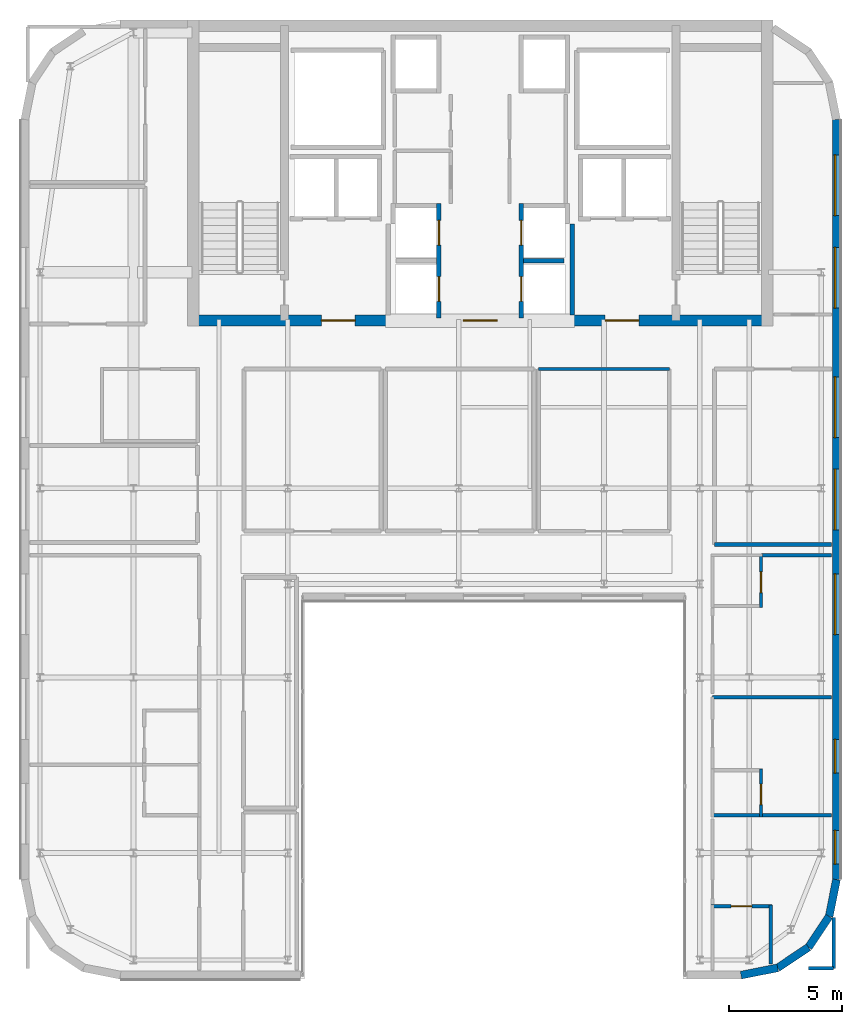
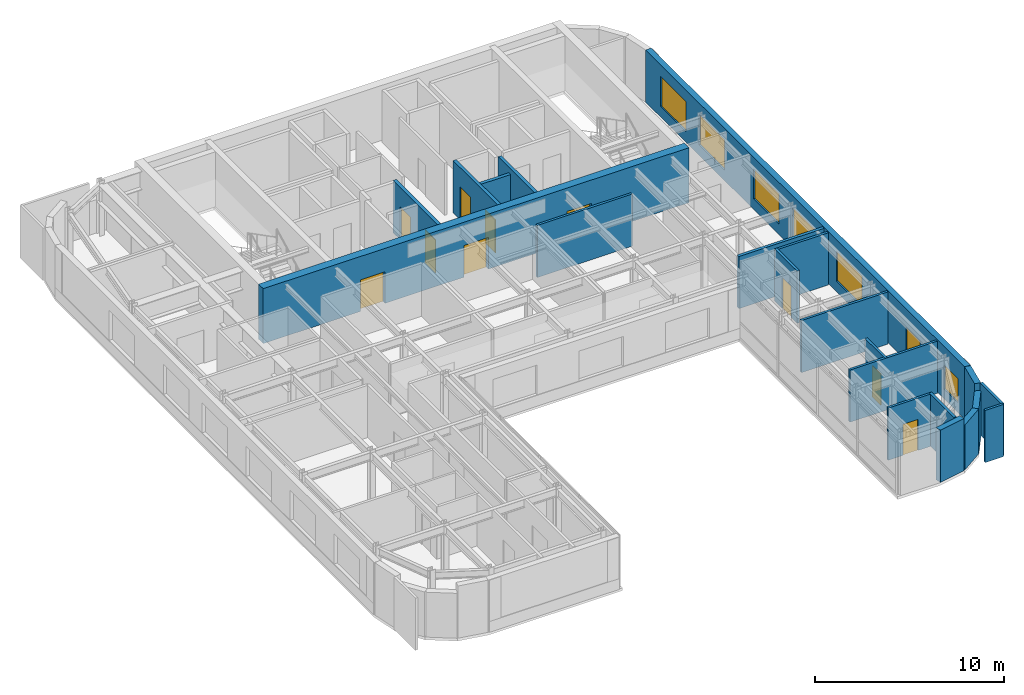
# One storey, part 15 of 21: 21 walls, 10 doors, 7 windows, 17 openings.
"""IFC4 building model written with IfcOpenShell, lengths in metres."""

from ifc_helpers import new_model, si_unit, direction, frame, frame_2d, origin, place, context, subcontext, project, spatial, rectangle, extrude, source, transform, mapped, material, layer, layer_set, type_object, type_shapes, element, fill, save


model = new_model("IFC4")

# Units and contexts
model_context = context("Model", 3, precision=1e-05, world=origin(), true_north=direction((0.0, 1.0)))
body_context = subcontext(model_context, "Body", "Model", "MODEL_VIEW")
ifc_project = project(units=[si_unit("LENGTHUNIT", "METRE"), si_unit("AREAUNIT", "SQUARE_METRE"), si_unit("VOLUMEUNIT", "CUBIC_METRE"), si_unit("PLANEANGLEUNIT", "RADIAN"), si_unit("MASSUNIT", "GRAM", prefix="KILO")], contexts=[model_context])

# Site, building, storey
site_placement = place(None, origin())
site = spatial("IfcSite", under=ifc_project, at=site_placement, CompositionType="ELEMENT")
building_placement = place(site_placement, origin())
building = spatial("IfcBuilding", under=site, at=building_placement, Name="Tolvann Quenvar Hotel", CompositionType="ELEMENT")
storey_placement = place(building_placement, frame((0.0, 0.0, 255.85009765625)))
storey = spatial("IfcBuildingStorey", under=building, at=storey_placement, Name="L68", CompositionType="ELEMENT", Elevation=255.85009765625)

# Wall, openings, doors
ifc_material_1 = material(Name="Concrete N50 (50 MPa)", Category="concrete")
ifc_layer_1 = layer(ifc_material_1, 0.5)
ifc_layer_set_1 = layer_set([ifc_layer_1], Name="Concrete N50 (50 MPa)")
wall_type_1 = type_object("IfcWallType", Name="WALL_CORE_500", PredefinedType="SHEAR", material=ifc_layer_set_1)
wall_1_placement = place(storey_placement, frame((10.0, 31.85009765625, 0.0), z_axis=(0.0, 0.0, 1.0), x_axis=(1.0, 0.0, 0.0)))
wall_1 = element("IfcWall", 1, at=wall_1_placement, inside=storey, type_object=wall_type_1, Name="Rear Core S Shear Wall (L68)", PredefinedType="SHEAR", context=body_context, shape_type="SweptSolid", body=[
    extrude(rectangle(XDim=26.0, YDim=0.5, at=frame_2d((13.0, 0.0))), origin(), (0.0, 0.0, 1.0), 3.5498046875),
])
opening_1_placement = place(wall_1_placement, frame((7.449951171875, 0.0, 0.0), z_axis=(0.0, 0.0, 1.0), x_axis=(-1.0, 0.0, 0.0)))
opening_1 = element("IfcOpeningElement", 2, at=opening_1_placement, cuts=wall_1, Name="Opening FD-60D", PredefinedType="OPENING", context=body_context, shape_type="SweptSolid", body=[
    extrude(rectangle(XDim=1.5, YDim=2.0400390625, at=frame_2d((0.75, 1.02001953125))), frame((0.0, 0.260009765625, 0.0), z_axis=(0.0, -1.0, 0.0), x_axis=(1.0, 0.0, 0.0)), (0.0, 0.0, 1.0), 0.52001953125),
])
opening_2_placement = place(wall_1_placement, frame((13.75, 0.0, 0.0), z_axis=(0.0, 0.0, 1.0), x_axis=(-1.0, 0.0, 0.0)))
opening_2 = element("IfcOpeningElement", 3, at=opening_2_placement, cuts=wall_1, Name="Opening FD-60D", PredefinedType="OPENING", context=body_context, shape_type="SweptSolid", body=[
    extrude(rectangle(XDim=1.5, YDim=2.0400390625, at=frame_2d((0.75, 1.02001953125))), frame((0.0, 0.260009765625, 0.0), z_axis=(0.0, -1.0, 0.0), x_axis=(1.0, 0.0, 0.0)), (0.0, 0.0, 1.0), 0.52001953125),
])
opening_3_placement = place(wall_1_placement, frame((20.050048828125, 0.0, 0.0), z_axis=(0.0, 0.0, 1.0), x_axis=(-1.0, 0.0, 0.0)))
opening_3 = element("IfcOpeningElement", 4, at=opening_3_placement, cuts=wall_1, Name="Opening FD-60D", PredefinedType="OPENING", context=body_context, shape_type="SweptSolid", body=[
    extrude(rectangle(XDim=1.5, YDim=2.0400390625, at=frame_2d((0.75, 1.02001953125))), frame((0.0, 0.260009765625, 0.0), z_axis=(0.0, -1.0, 0.0), x_axis=(1.0, 0.0, 0.0)), (0.0, 0.0, 1.0), 0.52001953125),
])
ifc_material_2 = material(Name="Solid-core American oak acoustic fire door leaf in steel frame", Category="steel")
door_type_1 = type_object("IfcDoorType", Name="DOOR_FIRE_LOBBY_1500", OperationType="NOTDEFINED", PredefinedType="DOOR", material=ifc_material_2)
shared_shape_1 = source(origin(), body_context, "Body", "SweptSolid", [
    extrude(rectangle(XDim=1.5, YDim=2.0400390625, at=frame_2d((0.75, 1.02001953125))), frame((0.0, 0.02490234375, 0.0), z_axis=(0.0, -1.0, 0.0), x_axis=(1.0, 0.0, 0.0)), (0.0, 0.0, 1.0), 0.050048828125),
])
type_shapes(door_type_1, [shared_shape_1])
door_1_placement = place(opening_1_placement, origin())
door_1 = element("IfcDoor", 5, at=door_1_placement, inside=storey, type_object=door_type_1, Name="Core Lobby Fire Door FFW (L68)", OperationType="DOUBLE_DOOR_SINGLE_SWING", OverallHeight=2.0400390625, OverallWidth=1.5, PredefinedType="DOOR", context=body_context, shape_type="MappedRepresentation", body=[
    mapped(shared_shape_1, transform((0.0, 0.0, 0.0), x_axis=(1.0, 0.0, 0.0), y_axis=(0.0, 1.0, 0.0), z_axis=(0.0, 0.0, 1.0), scale=1.0)),
])
fill(opening_1, door_1)
door_2_placement = place(opening_2_placement, origin())
door_2 = element("IfcDoor", 6, at=door_2_placement, inside=storey, type_object=door_type_1, Name="Core Lobby Fire Door CLOB (L68)", OperationType="DOUBLE_DOOR_SINGLE_SWING", OverallHeight=2.0400390625, OverallWidth=1.5, PredefinedType="DOOR", context=body_context, shape_type="MappedRepresentation", body=[
    mapped(shared_shape_1, transform((0.0, 0.0, 0.0), x_axis=(1.0, 0.0, 0.0), y_axis=(0.0, 1.0, 0.0), z_axis=(0.0, 0.0, 1.0), scale=1.0)),
])
fill(opening_2, door_2)
door_3_placement = place(opening_3_placement, origin())
door_3 = element("IfcDoor", 7, at=door_3_placement, inside=storey, type_object=door_type_1, Name="Core Lobby Fire Door FFE (L68)", OperationType="DOUBLE_DOOR_SINGLE_SWING", OverallHeight=2.0400390625, OverallWidth=1.5, PredefinedType="DOOR", context=body_context, shape_type="MappedRepresentation", body=[
    mapped(shared_shape_1, transform((0.0, 0.0, 0.0), x_axis=(1.0, 0.0, 0.0), y_axis=(0.0, 1.0, 0.0), z_axis=(0.0, 0.0, 1.0), scale=1.0)),
])
fill(opening_3, door_3)

# Walls
ifc_material_3 = material(Name="Kiln-fired red and buff architectural clay brickwork and terracotta masonry", Category="masonry")
ifc_layer_2 = layer(ifc_material_3, 0.35009765625)
ifc_layer_set_2 = layer_set([ifc_layer_2], Name="Kiln-fired red and buff architectural clay brickwork and terracotta masonry")
wall_type_2 = type_object("IfcWallType", Name="WALL_EXT_BRICK_350", PredefinedType="SOLIDWALL", material=ifc_layer_set_2)
wall_2_placement = place(storey_placement, frame((34.582763671875, 2.77490234375, 0.0), z_axis=(0.0, 0.0, 1.0), x_axis=(0.980794424524, 0.195044345786, 0.0)))
element("IfcWall", 8, at=wall_2_placement, inside=storey, type_object=wall_type_2, Name="Exterior Chicago Brick Wall L68-E09", PredefinedType="SOLIDWALL", context=body_context, shape_type="SweptSolid", body=[
    extrude(rectangle(XDim=1.664794921875, YDim=0.35009765625, at=frame_2d((0.83251953125, 0.0))), origin(), (0.0, 0.0, 1.0), 3.369873046875),
])
for number, where, z_axis, x_axis, name in (
    (9, (36.215576171875, 3.099609375, 0.0), (0.0, 0.0, 1.0), (0.831434158098, 0.555623290322, 0.0), "Exterior Chicago Brick Wall L68-E10"),
    (10, (37.585205078125, 4.014892578125, 0.0), (0.0, 0.0, 1.0), (0.555520825599, 0.831502623162, 0.0), "Exterior Chicago Brick Wall L68-E11"),
):
    element("IfcWall", number, at=place(storey_placement, frame(where, z_axis=z_axis, x_axis=x_axis)), inside=storey, type_object=wall_type_2, Name=name, PredefinedType="SOLIDWALL", context=body_context, shape_type="SweptSolid", body=[
        extrude(rectangle(XDim=1.647216796875, YDim=0.35009765625, at=frame_2d((0.82373046875, 0.0))), origin(), (0.0, 0.0, 1.0), 2.89990234375),
    ])
wall_3_placement = place(storey_placement, frame((38.500244140625, 5.384521484375, 0.0), z_axis=(0.0, 0.0, 1.0), x_axis=(0.195072403631, 0.980788844421, 0.0)))
element("IfcWall", 11, at=wall_3_placement, inside=storey, type_object=wall_type_2, Name="Exterior Chicago Brick Wall L68-E12", PredefinedType="SOLIDWALL", context=body_context, shape_type="SweptSolid", body=[
    extrude(rectangle(XDim=1.66455078125, YDim=0.35009765625, at=frame_2d((0.832275390625, 0.0))), origin(), (0.0, 0.0, 1.0), 3.369873046875),
])

# Wall, openings, windows
wall_4_placement = place(storey_placement, frame((38.824951171875, 7.01708984375, 0.0), z_axis=(0.0, 0.0, 1.0), x_axis=(0.0, 1.0, 0.0)))
wall_4 = element("IfcWall", 12, at=wall_4_placement, inside=storey, type_object=wall_type_2, Name="Exterior Chicago Brick Wall L68-E13", PredefinedType="SOLIDWALL", context=body_context, shape_type="SweptSolid", body=[
    extrude(rectangle(XDim=33.765625, YDim=0.35009765625, at=frame_2d((16.8828125, 0.0))), origin(), (0.0, 0.0, 1.0), 3.369873046875),
])
opening_4_placement = place(wall_4_placement, frame((10.881103515625, 0.0, 0.679931640625)))
opening_4 = element("IfcOpeningElement", 13, at=opening_4_placement, cuts=wall_4, Name="Opening W-04", PredefinedType="OPENING", context=body_context, shape_type="SweptSolid", body=[
    extrude(rectangle(XDim=2.699951171875, YDim=1.949951171875, at=frame_2d((1.35009765625, 0.97509765625))), frame((0.0, 0.18505859375, 0.0), z_axis=(0.0, -1.0, 0.0), x_axis=(1.0, 0.0, 0.0)), (0.0, 0.0, 1.0), 0.3701171875),
])
opening_5_placement = place(wall_4_placement, frame((15.532958984375, 0.0, 0.679931640625)))
opening_5 = element("IfcOpeningElement", 14, at=opening_5_placement, cuts=wall_4, Name="Opening W-04", PredefinedType="OPENING", context=body_context, shape_type="SweptSolid", body=[
    extrude(rectangle(XDim=2.699951171875, YDim=1.949951171875, at=frame_2d((1.35009765625, 0.97509765625))), frame((0.0, 0.18505859375, 0.0), z_axis=(0.0, -1.0, 0.0), x_axis=(1.0, 0.0, 0.0)), (0.0, 0.0, 1.0), 0.3701171875),
])
opening_6_placement = place(wall_4_placement, frame((19.635009765625, 0.0, 0.679931640625)))
opening_6 = element("IfcOpeningElement", 15, at=opening_6_placement, cuts=wall_4, Name="Opening W-04", PredefinedType="OPENING", context=body_context, shape_type="SweptSolid", body=[
    extrude(rectangle(XDim=2.699951171875, YDim=1.949951171875, at=frame_2d((1.35009765625, 0.97509765625))), frame((0.0, 0.18505859375, 0.0), z_axis=(0.0, -1.0, 0.0), x_axis=(1.0, 0.0, 0.0)), (0.0, 0.0, 1.0), 0.3701171875),
])
opening_7_placement = place(wall_4_placement, frame((25.386962890625, 0.0, 0.679931640625)))
opening_7 = element("IfcOpeningElement", 16, at=opening_7_placement, cuts=wall_4, Name="Opening W-04", PredefinedType="OPENING", context=body_context, shape_type="SweptSolid", body=[
    extrude(rectangle(XDim=2.699951171875, YDim=1.949951171875, at=frame_2d((1.35009765625, 0.97509765625))), frame((0.0, 0.18505859375, 0.0), z_axis=(0.0, -1.0, 0.0), x_axis=(1.0, 0.0, 0.0)), (0.0, 0.0, 1.0), 0.3701171875),
])
opening_8_placement = place(wall_4_placement, frame((29.489013671875, 0.0, 0.679931640625)))
opening_8 = element("IfcOpeningElement", 17, at=opening_8_placement, cuts=wall_4, Name="Opening W-04", PredefinedType="OPENING", context=body_context, shape_type="SweptSolid", body=[
    extrude(rectangle(XDim=2.699951171875, YDim=1.949951171875, at=frame_2d((1.35009765625, 0.97509765625))), frame((0.0, 0.18505859375, 0.0), z_axis=(0.0, -1.0, 0.0), x_axis=(1.0, 0.0, 0.0)), (0.0, 0.0, 1.0), 0.3701171875),
])
opening_9_placement = place(wall_4_placement, frame((0.68603515625, 0.0, 0.6201171875)))
opening_9 = element("IfcOpeningElement", 18, at=opening_9_placement, cuts=wall_4, Name="Opening W-08", PredefinedType="OPENING", context=body_context, shape_type="SweptSolid", body=[
    extrude(rectangle(XDim=1.5, YDim=1.550048828125, at=frame_2d((0.75, 0.77490234375))), frame((0.0, 0.18505859375, 0.0), z_axis=(0.0, -1.0, 0.0), x_axis=(1.0, 0.0, 0.0)), (0.0, 0.0, 1.0), 0.3701171875),
])
opening_10_placement = place(wall_4_placement, frame((4.73291015625, 0.0, 0.6201171875)))
opening_10 = element("IfcOpeningElement", 19, at=opening_10_placement, cuts=wall_4, Name="Opening W-08", PredefinedType="OPENING", context=body_context, shape_type="SweptSolid", body=[
    extrude(rectangle(XDim=1.5, YDim=1.550048828125, at=frame_2d((0.75, 0.77490234375))), frame((0.0, 0.18505859375, 0.0), z_axis=(0.0, -1.0, 0.0), x_axis=(1.0, 0.0, 0.0)), (0.0, 0.0, 1.0), 0.3701171875),
])
ifc_material_4 = material(Name="Thermally broken bronze-anodised aluminium frame with double low-E glazing", Category="aluminium")
window_type_1 = type_object("IfcWindowType", Name="WIN_COR_1500x2050", PartitioningType="SINGLE_PANEL", PredefinedType="WINDOW", material=ifc_material_4)
shared_shape_2 = source(origin(), body_context, "Body", "SweptSolid", [
    extrude(rectangle(XDim=1.5, YDim=1.550048828125, at=frame_2d((0.75, 0.77490234375))), frame((0.0, 0.090087890625, 0.0), z_axis=(0.0, -1.0, 0.0), x_axis=(1.0, 0.0, 0.0)), (0.0, 0.0, 1.0), 0.06005859375),
])
type_shapes(window_type_1, [shared_shape_2])
window_1_placement = place(opening_9_placement, origin())
window_1 = element("IfcWindow", 20, at=window_1_placement, inside=storey, type_object=window_type_1, Name="Chicago Window W-08 (EW-L68-E13-WD06)", OverallHeight=1.550048828125, OverallWidth=1.5, PartitioningType="SINGLE_PANEL", PredefinedType="WINDOW", context=body_context, shape_type="MappedRepresentation", body=[
    mapped(shared_shape_2, transform((0.0, 0.0, 0.0), x_axis=(1.0, 0.0, 0.0), y_axis=(0.0, 1.0, 0.0), z_axis=(0.0, 0.0, 1.0), scale=1.0)),
])
fill(opening_9, window_1)
window_2_placement = place(opening_10_placement, origin())
window_2 = element("IfcWindow", 21, at=window_2_placement, inside=storey, type_object=window_type_1, Name="Chicago Window W-08 (EW-L68-E13-WD07)", OverallHeight=1.550048828125, OverallWidth=1.5, PartitioningType="SINGLE_PANEL", PredefinedType="WINDOW", context=body_context, shape_type="MappedRepresentation", body=[
    mapped(shared_shape_2, transform((0.0, 0.0, 0.0), x_axis=(1.0, 0.0, 0.0), y_axis=(0.0, 1.0, 0.0), z_axis=(0.0, 0.0, 1.0), scale=1.0)),
])
fill(opening_10, window_2)
window_type_2 = type_object("IfcWindowType", Name="WIN_STE_2700x2150", PartitioningType="TRIPLE_PANEL_HORIZONTAL", PredefinedType="WINDOW", material=ifc_material_4)
shared_shape_3 = source(origin(), body_context, "Body", "SweptSolid", [
    extrude(rectangle(XDim=2.699951171875, YDim=1.949951171875, at=frame_2d((1.35009765625, 0.97509765625))), frame((0.0, 0.090087890625, 0.0), z_axis=(0.0, -1.0, 0.0), x_axis=(1.0, 0.0, 0.0)), (0.0, 0.0, 1.0), 0.06005859375),
])
type_shapes(window_type_2, [shared_shape_3])
window_3_placement = place(opening_4_placement, origin())
window_3 = element("IfcWindow", 22, at=window_3_placement, inside=storey, type_object=window_type_2, Name="Chicago Window W-04 (EW-L68-E13-W01)", OverallHeight=1.949951171875, OverallWidth=2.699951171875, PartitioningType="TRIPLE_PANEL_HORIZONTAL", PredefinedType="WINDOW", context=body_context, shape_type="MappedRepresentation", body=[
    mapped(shared_shape_3, transform((0.0, 0.0, 0.0), x_axis=(1.0, 0.0, 0.0), y_axis=(0.0, 1.0, 0.0), z_axis=(0.0, 0.0, 1.0), scale=1.0)),
])
fill(opening_4, window_3)
window_4_placement = place(opening_5_placement, origin())
window_4 = element("IfcWindow", 23, at=window_4_placement, inside=storey, type_object=window_type_2, Name="Chicago Window W-04 (EW-L68-E13-W02)", OverallHeight=1.949951171875, OverallWidth=2.699951171875, PartitioningType="TRIPLE_PANEL_HORIZONTAL", PredefinedType="WINDOW", context=body_context, shape_type="MappedRepresentation", body=[
    mapped(shared_shape_3, transform((0.0, 0.0, 0.0), x_axis=(1.0, 0.0, 0.0), y_axis=(0.0, 1.0, 0.0), z_axis=(0.0, 0.0, 1.0), scale=1.0)),
])
fill(opening_5, window_4)
window_5_placement = place(opening_6_placement, origin())
window_5 = element("IfcWindow", 24, at=window_5_placement, inside=storey, type_object=window_type_2, Name="Chicago Window W-04 (EW-L68-E13-W03)", OverallHeight=1.949951171875, OverallWidth=2.699951171875, PartitioningType="TRIPLE_PANEL_HORIZONTAL", PredefinedType="WINDOW", context=body_context, shape_type="MappedRepresentation", body=[
    mapped(shared_shape_3, transform((0.0, 0.0, 0.0), x_axis=(1.0, 0.0, 0.0), y_axis=(0.0, 1.0, 0.0), z_axis=(0.0, 0.0, 1.0), scale=1.0)),
])
fill(opening_6, window_5)
window_6_placement = place(opening_7_placement, origin())
window_6 = element("IfcWindow", 25, at=window_6_placement, inside=storey, type_object=window_type_2, Name="Chicago Window W-04 (EW-L68-E13-W04)", OverallHeight=1.949951171875, OverallWidth=2.699951171875, PartitioningType="TRIPLE_PANEL_HORIZONTAL", PredefinedType="WINDOW", context=body_context, shape_type="MappedRepresentation", body=[
    mapped(shared_shape_3, transform((0.0, 0.0, 0.0), x_axis=(1.0, 0.0, 0.0), y_axis=(0.0, 1.0, 0.0), z_axis=(0.0, 0.0, 1.0), scale=1.0)),
])
fill(opening_7, window_6)
window_7_placement = place(opening_8_placement, origin())
window_7 = element("IfcWindow", 26, at=window_7_placement, inside=storey, type_object=window_type_2, Name="Chicago Window W-04 (EW-L68-E13-W05)", OverallHeight=1.949951171875, OverallWidth=2.699951171875, PartitioningType="TRIPLE_PANEL_HORIZONTAL", PredefinedType="WINDOW", context=body_context, shape_type="MappedRepresentation", body=[
    mapped(shared_shape_3, transform((0.0, 0.0, 0.0), x_axis=(1.0, 0.0, 0.0), y_axis=(0.0, 1.0, 0.0), z_axis=(0.0, 0.0, 1.0), scale=1.0)),
])
fill(opening_8, window_7)

# Walls
ifc_material_5 = material(Name="Acoustic twin-stud fire-rated gypsum plasterboard partition")
ifc_layer_3 = layer(ifc_material_5, 0.179931640625)
ifc_layer_set_3 = layer_set([ifc_layer_3], Name="Acoustic twin-stud fire-rated gypsum plasterboard partition")
wall_type_3 = type_object("IfcWallType", Name="WALL_PART_ACOUSTIC_180", PredefinedType="PARTITIONING", material=ifc_layer_set_3)
wall_5_placement = place(storey_placement, frame((33.39990234375, 21.89990234375, 0.0), z_axis=(0.0, 0.0, 1.0), x_axis=(1.0, 0.0, 0.0)))
element("IfcWall", 27, at=wall_5_placement, inside=storey, type_object=wall_type_3, Name="Interior Partition PT-SPC-L68-PNE1-S", PredefinedType="PARTITIONING", context=body_context, shape_type="SweptSolid", body=[
    extrude(rectangle(XDim=5.195068359375, YDim=0.179931640625, at=frame_2d((2.59765625, 0.0))), origin(), (0.0, 0.0, 1.0), 3.369873046875),
])
ifc_layer_4 = layer(ifc_material_5, 0.14990234375)
ifc_layer_set_4 = layer_set([ifc_layer_4], Name="Acoustic twin-stud fire-rated gypsum plasterboard partition")
wall_type_4 = type_object("IfcWallType", Name="WALL_PART_SUITE_150", PredefinedType="PARTITIONING", material=ifc_layer_set_4)
wall_6_placement = place(storey_placement, frame((35.902099609375, 3.27197265625, 0.0), z_axis=(0.0, 0.0, 1.0), x_axis=(0.0, 1.0, 0.0)))
element("IfcWall", 28, at=wall_6_placement, inside=storey, type_object=wall_type_4, Name="Interior Partition PT-SPC-L68-ENS-PE01-ENT", PredefinedType="PARTITIONING", context=body_context, shape_type="SweptSolid", body=[
    extrude(rectangle(XDim=2.6279296875, YDim=0.14990234375, at=frame_2d((1.31396484375, 0.0))), origin(), (0.0, 0.0, 1.0), 3.369873046875),
])

# Wall, opening, door
wall_7_placement = place(storey_placement, frame((33.25, 5.830078125, 0.0), z_axis=(0.0, 0.0, 1.0), x_axis=(1.0, 0.0, 0.0)))
wall_7 = element("IfcWall", 29, at=wall_7_placement, inside=storey, type_object=wall_type_4, Name="Interior Partition PT-SPC-L68-ENS-PE01-N", PredefinedType="PARTITIONING", context=body_context, shape_type="SweptSolid", body=[
    extrude(rectangle(XDim=2.721923828125, YDim=0.14990234375, at=frame_2d((1.36083984375, 0.0))), origin(), (0.0, 0.0, 1.0), 3.369873046875),
])
opening_11_placement = place(wall_7_placement, frame((0.90087890625, 0.0, 0.0)))
opening_11 = element("IfcOpeningElement", 30, at=opening_11_placement, cuts=wall_7, Name="Opening WD-01", PredefinedType="OPENING", context=body_context, shape_type="SweptSolid", body=[
    extrude(rectangle(XDim=0.919921875, YDim=2.010009765625, at=frame_2d((0.4599609375, 1.0048828125))), frame((0.0, 0.0849609375, 0.0), z_axis=(0.0, -1.0, 0.0), x_axis=(1.0, 0.0, 0.0)), (0.0, 0.0, 1.0), 0.169921875),
])
door_type_2 = type_object("IfcDoorType", Name="DOOR_WC_920", OperationType="NOTDEFINED", PredefinedType="DOOR", material=ifc_material_2)
shared_shape_4 = source(origin(), body_context, "Body", "SweptSolid", [
    extrude(rectangle(XDim=0.919921875, YDim=2.010009765625, at=frame_2d((0.4599609375, 1.0048828125))), frame((0.0, 0.02490234375, 0.0), z_axis=(0.0, -1.0, 0.0), x_axis=(1.0, 0.0, 0.0)), (0.0, 0.0, 1.0), 0.050048828125),
])
type_shapes(door_type_2, [shared_shape_4])
door_4_placement = place(opening_11_placement, origin())
door_4 = element("IfcDoor", 31, at=door_4_placement, inside=storey, type_object=door_type_2, Name="Interior Door DOOR-SPC-L68-ENS-PE01", OperationType="SINGLE_SWING_LEFT", OverallHeight=2.010009765625, OverallWidth=0.919921875, PredefinedType="DOOR", context=body_context, shape_type="MappedRepresentation", body=[
    mapped(shared_shape_4, transform((0.0, 0.0, 0.0), x_axis=(1.0, 0.0, 0.0), y_axis=(0.0, 1.0, 0.0), z_axis=(0.0, 0.0, 1.0), scale=1.0)),
])
fill(opening_11, door_4)

wall_8_placement = place(storey_placement, frame((35.469970703125, 9.81005859375, 0.0), z_axis=(0.0, 0.0, 1.0), x_axis=(0.0, 1.0, 0.0)))
wall_8 = element("IfcWall", 32, at=wall_8_placement, inside=storey, type_object=wall_type_4, Name="Interior Partition PT-SPC-L68-ENS-PE02-ENT", PredefinedType="PARTITIONING", context=body_context, shape_type="SweptSolid", body=[
    extrude(rectangle(XDim=2.130859375, YDim=0.14990234375, at=frame_2d((1.0654296875, 0.0))), origin(), (0.0, 0.0, 1.0), 3.369873046875),
])
opening_12_placement = place(wall_8_placement, frame((0.535400390625, 0.0, 0.0)))
opening_12 = element("IfcOpeningElement", 33, at=opening_12_placement, cuts=wall_8, Name="Opening WD-01", PredefinedType="OPENING", context=body_context, shape_type="SweptSolid", body=[
    extrude(rectangle(XDim=0.919921875, YDim=2.010009765625, at=frame_2d((0.4599609375, 1.0048828125))), frame((0.0, 0.0849609375, 0.0), z_axis=(0.0, -1.0, 0.0), x_axis=(1.0, 0.0, 0.0)), (0.0, 0.0, 1.0), 0.169921875),
])
door_5_placement = place(opening_12_placement, origin())
door_5 = element("IfcDoor", 34, at=door_5_placement, inside=storey, type_object=door_type_2, Name="Interior Door DOOR-SPC-L68-ENS-PE02", OperationType="SINGLE_SWING_RIGHT", OverallHeight=2.010009765625, OverallWidth=0.919921875, PredefinedType="DOOR", context=body_context, shape_type="MappedRepresentation", body=[
    mapped(shared_shape_4, transform((0.0, 0.0, 0.0), x_axis=(1.0, 0.0, 0.0), y_axis=(0.0, 1.0, 0.0), z_axis=(0.0, 0.0, 1.0), scale=1.0)),
])
fill(opening_12, door_5)

# Wall
wall_9_placement = place(storey_placement, frame((33.25, 9.8798828125, 0.0), z_axis=(0.0, 0.0, 1.0), x_axis=(1.0, 0.0, 0.0)))
element("IfcWall", 35, at=wall_9_placement, inside=storey, type_object=wall_type_4, Name="Interior Partition PT-SPC-L68-ENS-PE02-S", PredefinedType="PARTITIONING", context=body_context, shape_type="SweptSolid", body=[
    extrude(rectangle(XDim=5.344970703125, YDim=0.14990234375, at=frame_2d((2.67236328125, 0.0))), origin(), (0.0, 0.0, 1.0), 3.369873046875),
])

# Wall, opening, door
wall_10_placement = place(storey_placement, frame((35.469970703125, 19.10009765625, 0.0), z_axis=(0.0, 0.0, 1.0), x_axis=(0.0, 1.0, 0.0)))
wall_10 = element("IfcWall", 36, at=wall_10_placement, inside=storey, type_object=wall_type_4, Name="Interior Partition PT-SPC-L68-ENS-PE03-ENT", PredefinedType="PARTITIONING", context=body_context, shape_type="SweptSolid", body=[
    extrude(rectangle(XDim=2.389892578125, YDim=0.14990234375, at=frame_2d((1.19482421875, 0.0))), origin(), (0.0, 0.0, 1.0), 3.369873046875),
])
opening_13_placement = place(wall_10_placement, frame((0.6650390625, 0.0, 0.0)))
opening_13 = element("IfcOpeningElement", 37, at=opening_13_placement, cuts=wall_10, Name="Opening WD-01", PredefinedType="OPENING", context=body_context, shape_type="SweptSolid", body=[
    extrude(rectangle(XDim=0.919921875, YDim=2.010009765625, at=frame_2d((0.4599609375, 1.0048828125))), frame((0.0, 0.0849609375, 0.0), z_axis=(0.0, -1.0, 0.0), x_axis=(1.0, 0.0, 0.0)), (0.0, 0.0, 1.0), 0.169921875),
])
door_6_placement = place(opening_13_placement, origin())
door_6 = element("IfcDoor", 38, at=door_6_placement, inside=storey, type_object=door_type_2, Name="Interior Door DOOR-SPC-L68-ENS-PE03", OperationType="SINGLE_SWING_LEFT", OverallHeight=2.010009765625, OverallWidth=0.919921875, PredefinedType="DOOR", context=body_context, shape_type="MappedRepresentation", body=[
    mapped(shared_shape_4, transform((0.0, 0.0, 0.0), x_axis=(1.0, 0.0, 0.0), y_axis=(0.0, 1.0, 0.0), z_axis=(0.0, 0.0, 1.0), scale=1.0)),
])
fill(opening_13, door_6)

# Walls
wall_11_placement = place(storey_placement, frame((37.5849609375, 3.080078125, 0.0), z_axis=(0.0, 0.0, 1.0), x_axis=(1.0, 0.0, 0.0)))
element("IfcWall", 39, at=wall_11_placement, inside=storey, type_object=wall_type_4, Name="Interior Partition PT-SPC-L68-RM-PE01-E3", PredefinedType="PARTITIONING", context=body_context, shape_type="SweptSolid", body=[
    extrude(rectangle(XDim=1.114990234375, YDim=0.14990234375, at=frame_2d((0.5576171875, 0.0))), origin(), (0.0, 0.0, 1.0), 3.369873046875),
])
wall_12_placement = place(storey_placement, frame((38.699951171875, 3.080078125, 0.0), z_axis=(0.0, 0.0, 1.0), x_axis=(0.0, 1.0, 0.0)))
element("IfcWall", 40, at=wall_12_placement, inside=storey, type_object=wall_type_4, Name="Interior Partition PT-SPC-L68-RM-PE01-E4", PredefinedType="PARTITIONING", context=body_context, shape_type="SweptSolid", body=[
    extrude(rectangle(XDim=2.264892578125, YDim=0.14990234375, at=frame_2d((1.13232421875, 0.0))), origin(), (0.0, 0.0, 1.0), 3.369873046875),
])
wall_13_placement = place(storey_placement, frame((33.320068359375, 15.1201171875, 0.0), z_axis=(0.0, 0.0, 1.0), x_axis=(1.0, 0.0, 0.0)))
element("IfcWall", 41, at=wall_13_placement, inside=storey, type_object=wall_type_4, Name="Interior Partition PT-SPC-L68-RM-PE02-E5", PredefinedType="PARTITIONING", context=body_context, shape_type="SweptSolid", body=[
    extrude(rectangle(XDim=5.27490234375, YDim=0.14990234375, at=frame_2d((2.637451171875, 0.0))), origin(), (0.0, 0.0, 1.0), 3.369873046875),
])
wall_14_placement = place(storey_placement, frame((35.489990234375, 21.419921875, 0.0), z_axis=(0.0, 0.0, 1.0), x_axis=(1.0, 0.0, 0.0)))
element("IfcWall", 42, at=wall_14_placement, inside=storey, type_object=wall_type_4, Name="Interior Partition PT-SPC-L68-RM-PE03-E3", PredefinedType="PARTITIONING", context=body_context, shape_type="SweptSolid", body=[
    extrude(rectangle(XDim=3.10498046875, YDim=0.14990234375, at=frame_2d((1.552490234375, 0.0))), origin(), (0.0, 0.0, 1.0), 3.369873046875),
])
wall_15_placement = place(storey_placement, frame((25.60009765625, 29.699951171875, 0.0), z_axis=(0.0, 0.0, 1.0), x_axis=(1.0, 0.0, 0.0)))
element("IfcWall", 43, at=wall_15_placement, inside=storey, type_object=wall_type_4, Name="Interior Partition PT-SPC-L68-PCNTR3-N", PredefinedType="PARTITIONING", context=body_context, shape_type="SweptSolid", body=[
    extrude(rectangle(XDim=5.7998046875, YDim=0.14990234375, at=frame_2d((2.89990234375, 0.0))), origin(), (0.0, 0.0, 1.0), 3.369873046875),
])
ifc_material_6 = material(Name="Concrete N40 (40 MPa)", Category="concrete")
ifc_layer_5 = layer(ifc_material_6, 0.199951171875)
ifc_layer_set_5 = layer_set([ifc_layer_5], Name="Concrete N40 (40 MPa)")
wall_type_5 = type_object("IfcWallType", Name="WALL_SHAFT_200", PredefinedType="SOLIDWALL", material=ifc_layer_set_5)
wall_16_placement = place(storey_placement, frame((27.080078125, 32.10400390625, 0.0), z_axis=(0.0, 0.0, 1.0), x_axis=(0.0, 1.0, 0.0)))
element("IfcWall", 44, at=wall_16_placement, inside=storey, type_object=wall_type_5, Name="Firefighting Lobby E Inner Fire Wall (L68)", PredefinedType="SOLIDWALL", context=body_context, shape_type="SweptSolid", body=[
    extrude(rectangle(XDim=4.0458984375, YDim=0.199951171875, at=frame_2d((2.02294921875, 0.0))), origin(), (0.0, 0.0, 1.0), 3.369873046875),
])

# Wall, openings, doors
wall_17_placement = place(storey_placement, frame((21.169921875, 31.9599609375, 0.0), z_axis=(0.0, 0.0, 1.0), x_axis=(0.0, 1.0, 0.0)))
wall_17 = element("IfcWall", 45, at=wall_17_placement, inside=storey, type_object=wall_type_5, Name="Lift Bank E21.1C1 Hoistway Front Wall (L68)", PredefinedType="SOLIDWALL", context=body_context, shape_type="SweptSolid", body=[
    extrude(rectangle(XDim=5.080078125, YDim=0.199951171875, at=frame_2d((2.5400390625, 0.0))), origin(), (0.0, 0.0, 1.0), 3.369873046875),
])
opening_14_placement = place(wall_17_placement, frame((0.739990234375, 0.0, 0.0)))
opening_14 = element("IfcOpeningElement", 46, at=opening_14_placement, cuts=wall_17, Name="Opening LD-01", PredefinedType="OPENING", context=body_context, shape_type="SweptSolid", body=[
    extrude(rectangle(XDim=1.10009765625, YDim=2.1201171875, at=frame_2d((0.550048828125, 1.06005859375))), frame((0.0, 0.10986328125, 0.0), z_axis=(0.0, -1.0, 0.0), x_axis=(1.0, 0.0, 0.0)), (0.0, 0.0, 1.0), 0.219970703125),
])
opening_15_placement = place(wall_17_placement, frame((3.239990234375, 0.0, 0.0)))
opening_15 = element("IfcOpeningElement", 47, at=opening_15_placement, cuts=wall_17, Name="Opening LD-01", PredefinedType="OPENING", context=body_context, shape_type="SweptSolid", body=[
    extrude(rectangle(XDim=1.10009765625, YDim=2.1201171875, at=frame_2d((0.550048828125, 1.06005859375))), frame((0.0, 0.10986328125, 0.0), z_axis=(0.0, -1.0, 0.0), x_axis=(1.0, 0.0, 0.0)), (0.0, 0.0, 1.0), 0.219970703125),
])
ifc_material_7 = material(Name="Brushed 316 stainless steel automatic sliding lift landing door", Category="steel")
door_type_3 = type_object("IfcDoorType", Name="DOOR_LIFT_SLIDE_1100", OperationType="NOTDEFINED", PredefinedType="DOOR", material=ifc_material_7)
shared_shape_5 = source(origin(), body_context, "Body", "SweptSolid", [
    extrude(rectangle(XDim=1.10009765625, YDim=2.1201171875, at=frame_2d((0.550048828125, 1.06005859375))), frame((0.0, 0.02490234375, 0.0), z_axis=(0.0, -1.0, 0.0), x_axis=(1.0, 0.0, 0.0)), (0.0, 0.0, 1.0), 0.050048828125),
])
type_shapes(door_type_3, [shared_shape_5])
door_7_placement = place(opening_14_placement, origin())
door_7 = element("IfcDoor", 48, at=door_7_placement, inside=storey, type_object=door_type_3, Name="Lift PH-1 Sliding Landing Door (L68)", OperationType="SLIDING_TO_LEFT", OverallHeight=2.1201171875, OverallWidth=1.10009765625, PredefinedType="DOOR", context=body_context, shape_type="MappedRepresentation", body=[
    mapped(shared_shape_5, transform((0.0, 0.0, 0.0), x_axis=(1.0, 0.0, 0.0), y_axis=(0.0, 1.0, 0.0), z_axis=(0.0, 0.0, 1.0), scale=1.0)),
])
fill(opening_14, door_7)
door_8_placement = place(opening_15_placement, origin())
door_8 = element("IfcDoor", 49, at=door_8_placement, inside=storey, type_object=door_type_3, Name="Lift PH-2 Sliding Landing Door (L68)", OperationType="SLIDING_TO_RIGHT", OverallHeight=2.1201171875, OverallWidth=1.10009765625, PredefinedType="DOOR", context=body_context, shape_type="MappedRepresentation", body=[
    mapped(shared_shape_5, transform((0.0, 0.0, 0.0), x_axis=(1.0, 0.0, 0.0), y_axis=(0.0, 1.0, 0.0), z_axis=(0.0, 0.0, 1.0), scale=1.0)),
])
fill(opening_15, door_8)

wall_18_placement = place(storey_placement, frame((24.830078125, 31.9599609375, 0.0), z_axis=(0.0, 0.0, 1.0), x_axis=(0.0, 1.0, 0.0)))
wall_18 = element("IfcWall", 50, at=wall_18_placement, inside=storey, type_object=wall_type_5, Name="Lift Bank W24.9C1 Hoistway Front Wall (L68)", PredefinedType="SOLIDWALL", context=body_context, shape_type="SweptSolid", body=[
    extrude(rectangle(XDim=5.080078125, YDim=0.199951171875, at=frame_2d((2.5400390625, 0.0))), origin(), (0.0, 0.0, 1.0), 3.369873046875),
])
opening_16_placement = place(wall_18_placement, frame((0.739990234375, 0.0, 0.0)))
opening_16 = element("IfcOpeningElement", 51, at=opening_16_placement, cuts=wall_18, Name="Opening LD-01", PredefinedType="OPENING", context=body_context, shape_type="SweptSolid", body=[
    extrude(rectangle(XDim=1.10009765625, YDim=2.1201171875, at=frame_2d((0.550048828125, 1.06005859375))), frame((0.0, 0.10986328125, 0.0), z_axis=(0.0, -1.0, 0.0), x_axis=(1.0, 0.0, 0.0)), (0.0, 0.0, 1.0), 0.219970703125),
])
opening_17_placement = place(wall_18_placement, frame((3.239990234375, 0.0, 0.0)))
opening_17 = element("IfcOpeningElement", 52, at=opening_17_placement, cuts=wall_18, Name="Opening LD-01", PredefinedType="OPENING", context=body_context, shape_type="SweptSolid", body=[
    extrude(rectangle(XDim=1.10009765625, YDim=2.1201171875, at=frame_2d((0.550048828125, 1.06005859375))), frame((0.0, 0.10986328125, 0.0), z_axis=(0.0, -1.0, 0.0), x_axis=(1.0, 0.0, 0.0)), (0.0, 0.0, 1.0), 0.219970703125),
])
door_9_placement = place(opening_16_placement, origin())
door_9 = element("IfcDoor", 53, at=door_9_placement, inside=storey, type_object=door_type_3, Name="Lift PH-3 Sliding Landing Door (L68)", OperationType="SLIDING_TO_LEFT", OverallHeight=2.1201171875, OverallWidth=1.10009765625, PredefinedType="DOOR", context=body_context, shape_type="MappedRepresentation", body=[
    mapped(shared_shape_5, transform((0.0, 0.0, 0.0), x_axis=(1.0, 0.0, 0.0), y_axis=(0.0, 1.0, 0.0), z_axis=(0.0, 0.0, 1.0), scale=1.0)),
])
fill(opening_16, door_9)
door_10_placement = place(opening_17_placement, origin())
door_10 = element("IfcDoor", 54, at=door_10_placement, inside=storey, type_object=door_type_3, Name="Lift PH-4 Sliding Landing Door (L68)", OperationType="SLIDING_TO_RIGHT", OverallHeight=2.1201171875, OverallWidth=1.10009765625, PredefinedType="DOOR", context=body_context, shape_type="MappedRepresentation", body=[
    mapped(shared_shape_5, transform((0.0, 0.0, 0.0), x_axis=(1.0, 0.0, 0.0), y_axis=(0.0, 1.0, 0.0), z_axis=(0.0, 0.0, 1.0), scale=1.0)),
])
fill(opening_17, door_10)

# Wall
wall_19_placement = place(storey_placement, frame((24.929931640625, 34.5, 0.0), z_axis=(0.0, 0.0, 1.0), x_axis=(1.0, 0.0, 0.0)))
element("IfcWall", 55, at=wall_19_placement, inside=storey, type_object=wall_type_5, Name="Lift Bank W24.9C1 Divider Wall 1 (L68)", PredefinedType="SOLIDWALL", context=body_context, shape_type="SweptSolid", body=[
    extrude(rectangle(XDim=1.800048828125, YDim=0.199951171875, at=frame_2d((0.89990234375, 0.0))), origin(), (0.0, 0.0, 1.0), 3.369873046875),
])

save(model, "model.ifc")
